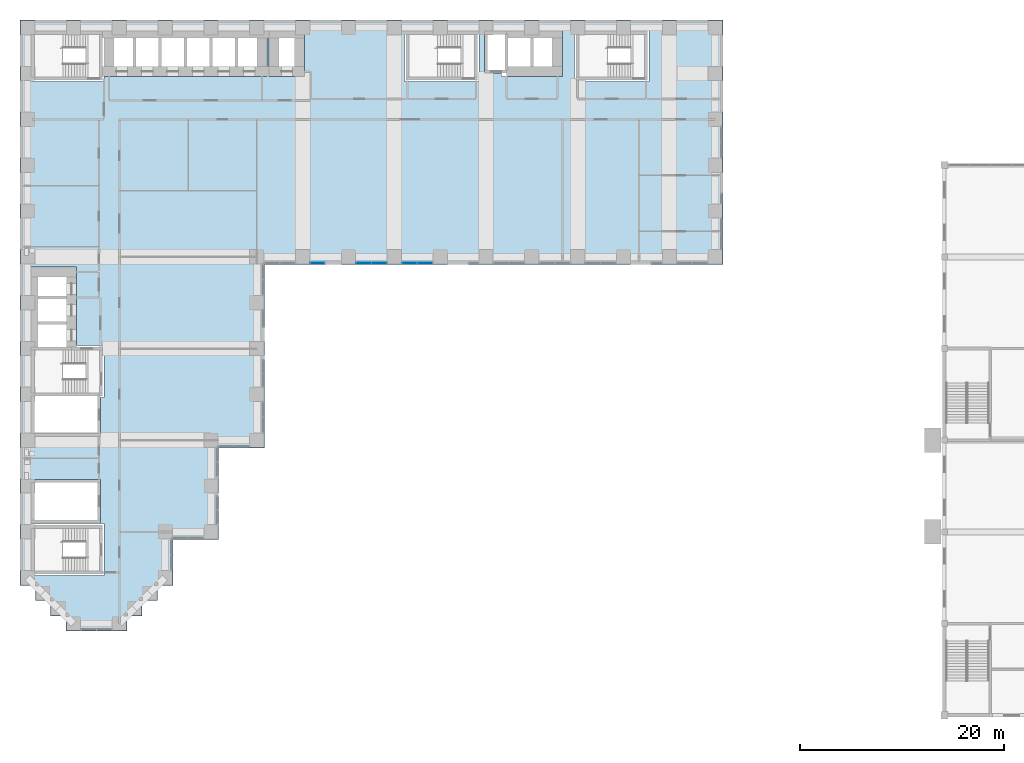
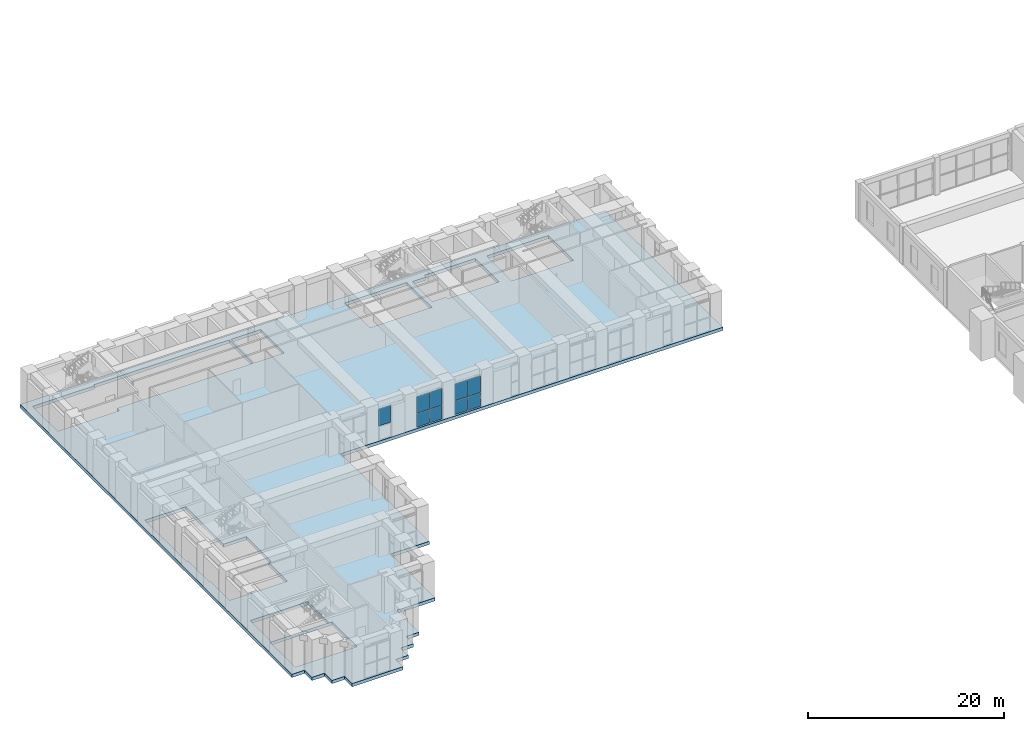
# One storey, part 13 of 34: 9 plates, 1 slab, 3 elements without a shape of their own.
"""IFC4 building model written with IfcOpenShell, lengths in metres."""

from ifc_helpers import new_model, si_unit, direction, frame, origin, origin_2d, place, context, subcontext, project, spatial, polyline, rectangle, outline, extrude, material, layer, layer_set, type_object, element, aggregate, save


model = new_model("IFC4")

# Units and contexts
model_context = context("Model", 3, precision=1e-05, world=origin(), true_north=direction((0.0, 1.0)))
body_context = subcontext(model_context, "Body", "Model", "MODEL_VIEW")
ifc_project = project(units=[si_unit("LENGTHUNIT", "METRE"), si_unit("AREAUNIT", "SQUARE_METRE"), si_unit("VOLUMEUNIT", "CUBIC_METRE"), si_unit("PLANEANGLEUNIT", "RADIAN"), si_unit("MASSUNIT", "GRAM", prefix="KILO")], contexts=[model_context])

# Site, building, storey
site_placement = place(None, origin())
site = spatial("IfcSite", under=ifc_project, at=site_placement, CompositionType="ELEMENT")
building_placement = place(site_placement, origin())
building = spatial("IfcBuilding", under=site, at=building_placement, Name="Firuza Court", CompositionType="ELEMENT")
storey_placement = place(building_placement, frame((0.0, 0.0, 14.0)))
storey = spatial("IfcBuildingStorey", under=building, at=storey_placement, Name="L02", CompositionType="ELEMENT", Elevation=14.0)

# Slab
ifc_material_1 = material(Name="Concrete C40/50", Category="concrete")
ifc_layer_1 = layer(ifc_material_1, 0.39990234375)
ifc_layer_set_1 = layer_set([ifc_layer_1], Name="Concrete C40/50")
slab_type = type_object("IfcSlabType", Name="Floor slab 400 C40/50", PredefinedType="FLOOR", material=ifc_layer_set_1)
slab_placement = place(storey_placement, frame((0.0, 0.0, -0.39990234375)))
element("IfcSlab", 1, at=slab_placement, inside=storey, type_object=slab_type, Name="Floor slab L02", PredefinedType="FLOOR", context=body_context, shape_type="SweptSolid", body=[
    extrude(outline(polyline([(3.75, -0.75), (3.75, 0.75), (2.25, 0.75), (2.25, 2.25), (0.75, 2.25), (0.75, 3.75), (-0.75, 3.75), (-0.75, 59.25), (68.25, 59.25), (68.25, 35.25), (23.25, 35.25), (23.25, 17.25), (18.75, 17.25), (18.75, 8.25), (14.25, 8.25), (14.25, 3.75), (12.75, 3.75), (12.75, 2.25), (11.25, 2.25), (11.25, 0.75), (9.75, 0.75), (9.75, -0.75), (3.75, -0.75)]), holes=[polyline([(7.5, 9.800048828125), (0.199951171875, 9.800048828125), (0.199951171875, 4.699951171875), (7.5, 4.699951171875), (7.5, 9.800048828125)]), polyline([(7.14990234375, 14.14990234375), (0.35009765625, 14.14990234375), (0.35009765625, 9.85009765625), (7.14990234375, 9.85009765625), (7.14990234375, 14.14990234375)]), polyline([(0.199951171875, 22.199951171875), (0.35009765625, 22.199951171875), (0.35009765625, 18.35009765625), (7.14990234375, 18.35009765625), (7.14990234375, 22.199951171875), (7.5, 22.199951171875), (7.5, 27.300048828125), (4.800048828125, 27.300048828125), (4.800048828125, 29.0), (4.800048828125, 30.0), (4.800048828125, 31.5), (4.800048828125, 32.5), (4.800048828125, 35.0), (0.0, 35.0), (0.0, 32.5), (0.0, 31.5), (0.0, 30.0), (0.0, 29.0), (0.0, 26.5), (0.199951171875, 26.5), (0.199951171875, 22.199951171875)]), polyline([(7.5, 58.300048828125), (0.199951171875, 58.300048828125), (0.199951171875, 53.199951171875), (7.5, 53.199951171875), (7.5, 53.699951171875), (10.0, 53.699951171875), (11.0, 53.699951171875), (12.5, 53.699951171875), (13.5, 53.699951171875), (15.0, 53.699951171875), (16.0, 53.699951171875), (17.5, 53.699951171875), (18.5, 53.699951171875), (20.0, 53.699951171875), (21.0, 53.699951171875), (23.5, 53.699951171875), (23.5, 58.5), (21.0, 58.5), (20.0, 58.5), (18.5, 58.5), (17.5, 58.5), (16.0, 58.5), (15.0, 58.5), (13.5, 58.5), (12.5, 58.5), (11.0, 58.5), (10.0, 58.5), (7.5, 58.5), (7.5, 58.300048828125)]), polyline([(44.300048828125, 58.300048828125), (37.0, 58.300048828125), (37.0, 53.199951171875), (44.300048828125, 53.199951171875), (44.300048828125, 58.300048828125)]), polyline([(61.0, 58.300048828125), (53.699951171875, 58.300048828125), (53.699951171875, 53.199951171875), (61.0, 53.199951171875), (61.0, 58.300048828125)]), polyline([(27.199951171875, 58.5), (23.699951171875, 58.5), (23.699951171875, 53.699951171875), (27.199951171875, 53.699951171875), (27.199951171875, 58.5)]), polyline([(46.5, 58.14990234375), (44.85009765625, 58.14990234375), (44.85009765625, 54.050048828125), (46.5, 54.050048828125), (46.5, 53.699951171875), (49.0, 53.699951171875), (50.0, 53.699951171875), (52.5, 53.699951171875), (52.5, 58.5), (50.0, 58.5), (49.0, 58.5), (46.5, 58.5), (46.5, 58.14990234375)])]), origin(), (0.0, 0.0, 1.0), 0.39990234375),
])

# Curtain wall, plate
ifc_material_2 = material(Name="Aluminium curtain wall, triple clear glazing", Category="aluminium")
curtain_wall_type = type_object("IfcCurtainWallType", Name="Podium unitised curtain wall CW1", PredefinedType="NOTDEFINED", material=ifc_material_2)
curtain_wall_1_placement = place(storey_placement, origin())
curtain_wall_1 = element("IfcCurtainWall", 2, at=curtain_wall_1_placement, inside=storey, type_object=curtain_wall_type, Name="Podium unitised curtain wall CW1 L02", PredefinedType="NOTDEFINED")
ifc_material_3 = material(Name="Triple clear glazing", Category="glass")
ifc_layer_2 = layer(ifc_material_3, 0.031982421875)
ifc_layer_set_2 = layer_set([ifc_layer_2], Name="Triple clear glazing")
plate_type = type_object("IfcPlateType", Name="Glazed panel 32 CW1", PredefinedType="CURTAIN_PANEL", material=ifc_layer_set_2)
plate_1_placement = place(storey_placement, frame((28.468017578125, 35.39990234375, 1.78515625), z_axis=(0.0, 0.0, 1.0), x_axis=(1.0, 0.0, 0.0)))
plate_1 = element("IfcPlate", 3, at=plate_1_placement, type_object=plate_type, Name="CW1 panel 1.2", PredefinedType="CURTAIN_PANEL", context=body_context, shape_type="SweptSolid", body=[
    extrude(rectangle(XDim=1.416015625, YDim=0.031982421875, at=origin_2d()), origin(), (0.0, 0.0, 1.0), 2.054931640625),
])
aggregate(curtain_wall_1, [plate_1])

# Curtain wall, plates
curtain_wall_2_placement = place(storey_placement, origin())
curtain_wall_2 = element("IfcCurtainWall", 4, at=curtain_wall_2_placement, inside=storey, type_object=curtain_wall_type, Name="Podium unitised curtain wall CW1 L02", PredefinedType="NOTDEFINED")
plate_2_placement = place(storey_placement, frame((32.989990234375, 35.39990234375, 0.06005859375), z_axis=(0.0, 0.0, 1.0), x_axis=(1.0, 0.0, 0.0)))
plate_2 = element("IfcPlate", 5, at=plate_2_placement, type_object=plate_type, Name="CW1 panel 1.1", PredefinedType="CURTAIN_PANEL", context=body_context, shape_type="SweptSolid", body=[
    extrude(rectangle(XDim=1.4599609375, YDim=0.031982421875, at=origin_2d()), origin(), (0.0, 0.0, 1.0), 1.6650390625),
])
plate_3_placement = place(storey_placement, frame((32.989990234375, 35.39990234375, 1.78515625), z_axis=(0.0, 0.0, 1.0), x_axis=(1.0, 0.0, 0.0)))
plate_3 = element("IfcPlate", 6, at=plate_3_placement, type_object=plate_type, Name="CW1 panel 1.2", PredefinedType="CURTAIN_PANEL", context=body_context, shape_type="SweptSolid", body=[
    extrude(rectangle(XDim=1.4599609375, YDim=0.031982421875, at=origin_2d()), origin(), (0.0, 0.0, 1.0), 2.054931640625),
])
plate_4_placement = place(storey_placement, frame((34.510009765625, 35.39990234375, 0.06005859375), z_axis=(0.0, 0.0, 1.0), x_axis=(1.0, 0.0, 0.0)))
plate_4 = element("IfcPlate", 7, at=plate_4_placement, type_object=plate_type, Name="CW1 panel 2.1", PredefinedType="CURTAIN_PANEL", context=body_context, shape_type="SweptSolid", body=[
    extrude(rectangle(XDim=1.4599609375, YDim=0.031982421875, at=origin_2d()), origin(), (0.0, 0.0, 1.0), 1.6650390625),
])
plate_5_placement = place(storey_placement, frame((34.510009765625, 35.39990234375, 1.78515625), z_axis=(0.0, 0.0, 1.0), x_axis=(1.0, 0.0, 0.0)))
plate_5 = element("IfcPlate", 8, at=plate_5_placement, type_object=plate_type, Name="CW1 panel 2.2", PredefinedType="CURTAIN_PANEL", context=body_context, shape_type="SweptSolid", body=[
    extrude(rectangle(XDim=1.4599609375, YDim=0.031982421875, at=origin_2d()), origin(), (0.0, 0.0, 1.0), 2.054931640625),
])
aggregate(curtain_wall_2, [plate_2, plate_3, plate_4, plate_5])

curtain_wall_3_placement = place(storey_placement, origin())
curtain_wall_3 = element("IfcCurtainWall", 9, at=curtain_wall_3_placement, inside=storey, type_object=curtain_wall_type, Name="Podium unitised curtain wall CW1 L02", PredefinedType="NOTDEFINED")
plate_6_placement = place(storey_placement, frame((37.489990234375, 35.39990234375, 0.06005859375), z_axis=(0.0, 0.0, 1.0), x_axis=(1.0, 0.0, 0.0)))
plate_6 = element("IfcPlate", 10, at=plate_6_placement, type_object=plate_type, Name="CW1 panel 1.1", PredefinedType="CURTAIN_PANEL", context=body_context, shape_type="SweptSolid", body=[
    extrude(rectangle(XDim=1.4599609375, YDim=0.031982421875, at=origin_2d()), origin(), (0.0, 0.0, 1.0), 1.6650390625),
])
plate_7_placement = place(storey_placement, frame((37.489990234375, 35.39990234375, 1.78515625), z_axis=(0.0, 0.0, 1.0), x_axis=(1.0, 0.0, 0.0)))
plate_7 = element("IfcPlate", 11, at=plate_7_placement, type_object=plate_type, Name="CW1 panel 1.2", PredefinedType="CURTAIN_PANEL", context=body_context, shape_type="SweptSolid", body=[
    extrude(rectangle(XDim=1.4599609375, YDim=0.031982421875, at=origin_2d()), origin(), (0.0, 0.0, 1.0), 2.054931640625),
])
plate_8_placement = place(storey_placement, frame((39.010009765625, 35.39990234375, 0.06005859375), z_axis=(0.0, 0.0, 1.0), x_axis=(1.0, 0.0, 0.0)))
plate_8 = element("IfcPlate", 12, at=plate_8_placement, type_object=plate_type, Name="CW1 panel 2.1", PredefinedType="CURTAIN_PANEL", context=body_context, shape_type="SweptSolid", body=[
    extrude(rectangle(XDim=1.4599609375, YDim=0.031982421875, at=origin_2d()), origin(), (0.0, 0.0, 1.0), 1.6650390625),
])
plate_9_placement = place(storey_placement, frame((39.010009765625, 35.39990234375, 1.78515625), z_axis=(0.0, 0.0, 1.0), x_axis=(1.0, 0.0, 0.0)))
plate_9 = element("IfcPlate", 13, at=plate_9_placement, type_object=plate_type, Name="CW1 panel 2.2", PredefinedType="CURTAIN_PANEL", context=body_context, shape_type="SweptSolid", body=[
    extrude(rectangle(XDim=1.4599609375, YDim=0.031982421875, at=origin_2d()), origin(), (0.0, 0.0, 1.0), 2.054931640625),
])
aggregate(curtain_wall_3, [plate_6, plate_7, plate_8, plate_9])

save(model, "model.ifc")
